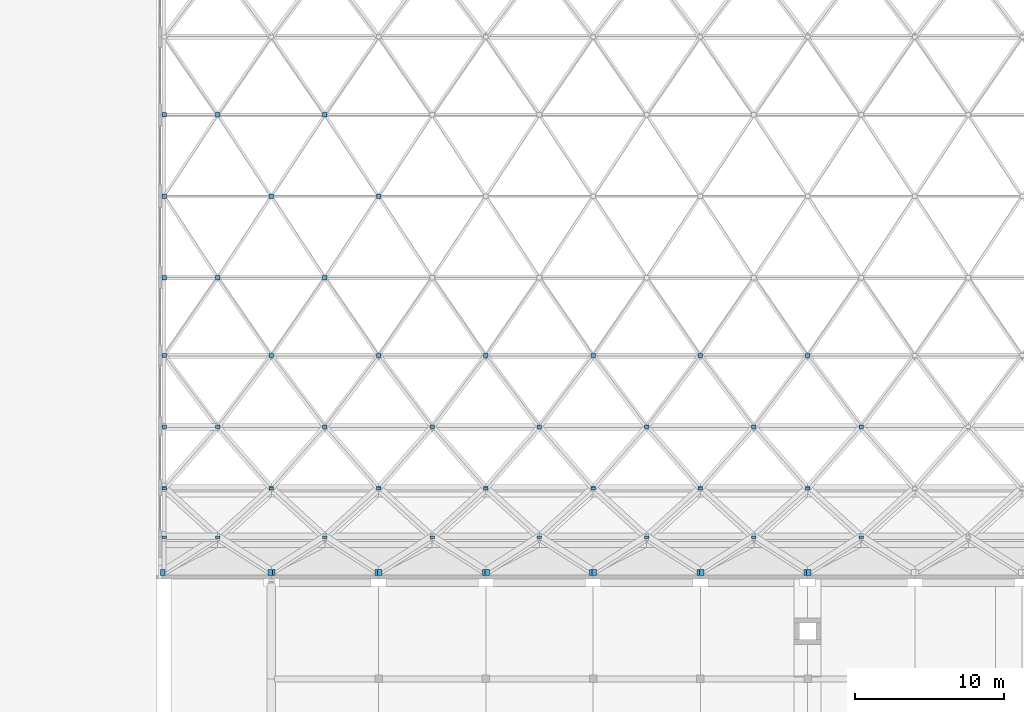
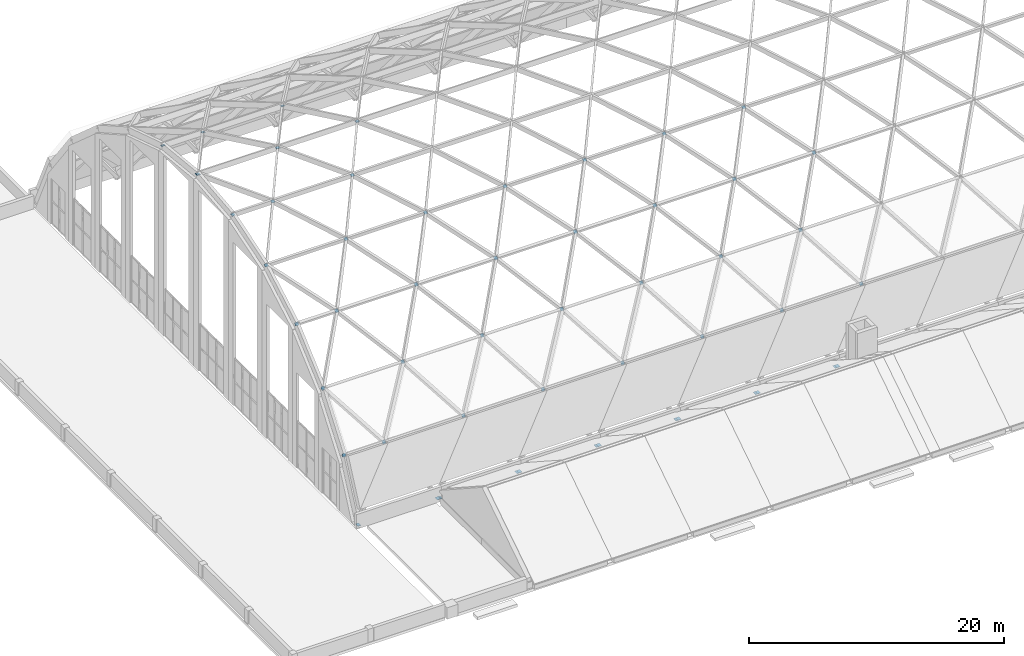
# One storey, part 39 of 52: 52 discrete accessories.
"""IFC4 building model written with IfcOpenShell, lengths in metres."""

from ifc_helpers import new_model, si_unit, direction, frame, origin, origin_2d, place, context, subcontext, project, spatial, rectangle, extrude, material, layer, layer_set, material_profile, profile_set, type_object, element, save


model = new_model("IFC4")

# Units and contexts
model_context = context("Model", 3, precision=1e-05, world=origin(), true_north=direction((0.0, 1.0)))
body_context = subcontext(model_context, "Body", "Model", "MODEL_VIEW")
ifc_project = project(units=[si_unit("LENGTHUNIT", "METRE"), si_unit("AREAUNIT", "SQUARE_METRE"), si_unit("VOLUMEUNIT", "CUBIC_METRE"), si_unit("PLANEANGLEUNIT", "RADIAN"), si_unit("MASSUNIT", "GRAM", prefix="KILO")], contexts=[model_context])

# Site, building, storey
site_placement = place(None, origin())
site = spatial("IfcSite", under=ifc_project, at=site_placement, CompositionType="ELEMENT")
building_placement = place(site_placement, origin())
building = spatial("IfcBuilding", under=site, at=building_placement, Name="Vermilion Court Aquatics Centre", CompositionType="ELEMENT")
storey_placement = place(building_placement, frame((0.0, 0.0, 12.0)))
storey = spatial("IfcBuildingStorey", under=building, at=storey_placement, Name="L02", CompositionType="ELEMENT", Elevation=12.0)

# Discrete accessories
ifc_material_1 = material(Name="Stainless steel 1.4547, 1.4529 or 1.4565", Category="steel")
ifc_material_profile = material_profile(ifc_material_1, rectangle(XDim=0.300048828125, YDim=0.300048828125, at=origin_2d()), Name="PL 12 x 300 x 300")
ifc_profile_set = profile_set([ifc_material_profile], Name="Stainless steel 1.4547, 1.4529 or 1.4565")
discrete_accessory_type_1 = type_object("IfcDiscreteAccessoryType", Name="Gridshell node plate", PredefinedType="BRACKET", material=ifc_profile_set)
for number, where, z_axis, x_axis, name in (
    (1, (14.39990234375, 16.715087890625, 5.23583984375), (0.0, -0.850265146688, 0.526354614616), (1.0, 0.0, 0.0), "Gridshell node plate NP1 01-00"),
    (2, (18.0, 16.715087890625, 5.23583984375), (0.0, -0.850265146688, 0.526354614616), (1.0, 0.0, 0.0), "Gridshell node plate NP1 01-01"),
    (3, (25.199951171875, 16.715087890625, 5.23583984375), (0.0, -0.850265146688, 0.526354614616), (1.0, 0.0, 0.0), "Gridshell node plate NP1 01-02"),
    (4, (32.39990234375, 16.715087890625, 5.23583984375), (0.0, -0.850265146688, 0.526354614616), (1.0, 0.0, 0.0), "Gridshell node plate NP1 01-03"),
    (5, (39.60009765625, 16.715087890625, 5.23583984375), (0.0, -0.850265146688, 0.526354614616), (1.0, 0.0, 0.0), "Gridshell node plate NP1 01-04"),
    (6, (46.800048828125, 16.715087890625, 5.23583984375), (0.0, -0.850265146688, 0.526354614616), (1.0, 0.0, 0.0), "Gridshell node plate NP1 01-05"),
    (7, (54.0, 16.715087890625, 5.23583984375), (0.0, -0.850265146688, 0.526354614616), (1.0, 0.0, 0.0), "Gridshell node plate NP1 01-06"),
    (8, (61.199951171875, 16.715087890625, 5.23583984375), (0.0, -0.850265146688, 0.526354614616), (1.0, 0.0, 0.0), "Gridshell node plate NP1 01-07"),
    (9, (14.39990234375, 20.00439453125, 9.64794921875), (0.0, -0.737154140201, 0.675724628517), (1.0, 0.0, 0.0), "Gridshell node plate NP1 02-00"),
    (10, (21.60009765625, 20.00439453125, 9.64794921875), (0.0, -0.737154140201, 0.675724628517), (1.0, 0.0, 0.0), "Gridshell node plate NP1 02-01"),
    (11, (28.800048828125, 20.00439453125, 9.64794921875), (0.0, -0.737154140201, 0.675724628517), (1.0, 0.0, 0.0), "Gridshell node plate NP1 02-02"),
    (12, (36.0, 20.00439453125, 9.64794921875), (0.0, -0.737154140201, 0.675724628517), (1.0, 0.0, 0.0), "Gridshell node plate NP1 02-03"),
    (13, (43.199951171875, 20.00439453125, 9.64794921875), (0.0, -0.737154140201, 0.675724628517), (1.0, 0.0, 0.0), "Gridshell node plate NP1 02-04"),
    (14, (50.39990234375, 20.00439453125, 9.64794921875), (0.0, -0.737154140201, 0.675724628517), (1.0, 0.0, 0.0), "Gridshell node plate NP1 02-05"),
    (15, (57.60009765625, 20.00439453125, 9.64794921875), (0.0, -0.737154140201, 0.675724628517), (1.0, 0.0, 0.0), "Gridshell node plate NP1 02-06"),
    (16, (14.39990234375, 24.12353515625, 13.2861328125), (0.0, -0.586967571461, 0.809610443394), (1.0, 0.0, 0.0), "Gridshell node plate NP1 03-00"),
    (17, (18.0, 24.12353515625, 13.2861328125), (0.0, -0.586967571461, 0.809610443394), (1.0, 0.0, 0.0), "Gridshell node plate NP1 03-01"),
    (18, (25.199951171875, 24.12353515625, 13.2861328125), (0.0, -0.586967571461, 0.809610443394), (1.0, 0.0, 0.0), "Gridshell node plate NP1 03-02"),
    (19, (32.39990234375, 24.12353515625, 13.2861328125), (0.0, -0.586967571461, 0.809610443394), (1.0, 0.0, 0.0), "Gridshell node plate NP1 03-03"),
    (20, (39.60009765625, 24.12353515625, 13.2861328125), (0.0, -0.586967571461, 0.809610443394), (1.0, 0.0, 0.0), "Gridshell node plate NP1 03-04"),
    (21, (46.800048828125, 24.12353515625, 13.2861328125), (0.0, -0.586967571461, 0.809610443394), (1.0, 0.0, 0.0), "Gridshell node plate NP1 03-05"),
    (22, (54.0, 24.12353515625, 13.2861328125), (0.0, -0.586967571461, 0.809610443394), (1.0, 0.0, 0.0), "Gridshell node plate NP1 03-06"),
    (23, (61.199951171875, 24.12353515625, 13.2861328125), (0.0, -0.586967571461, 0.809610443394), (1.0, 0.0, 0.0), "Gridshell node plate NP1 03-07"),
    (24, (14.39990234375, 28.90234375, 16.00146484375), (0.0, -0.38897203704, 0.921249561411), (1.0, 0.0, 0.0), "Gridshell node plate NP1 04-00"),
    (25, (21.60009765625, 28.90234375, 16.00146484375), (0.0, -0.38897203704, 0.921249561411), (1.0, 0.0, 0.0), "Gridshell node plate NP1 04-01"),
    (26, (28.800048828125, 28.90234375, 16.00146484375), (0.0, -0.38897203704, 0.921249561411), (1.0, 0.0, 0.0), "Gridshell node plate NP1 04-02"),
    (27, (36.0, 28.90234375, 16.00146484375), (0.0, -0.38897203704, 0.921249561411), (1.0, 0.0, 0.0), "Gridshell node plate NP1 04-03"),
    (28, (43.199951171875, 28.90234375, 16.00146484375), (0.0, -0.38897203704, 0.921249561411), (1.0, 0.0, 0.0), "Gridshell node plate NP1 04-04"),
    (29, (50.39990234375, 28.90234375, 16.00146484375), (0.0, -0.38897203704, 0.921249561411), (1.0, 0.0, 0.0), "Gridshell node plate NP1 04-05"),
    (30, (57.60009765625, 28.90234375, 16.00146484375), (0.0, -0.38897203704, 0.921249561411), (1.0, 0.0, 0.0), "Gridshell node plate NP1 04-06"),
):
    element("IfcDiscreteAccessory", number, at=place(storey_placement, frame(where, z_axis=z_axis, x_axis=x_axis)), inside=storey, type_object=discrete_accessory_type_1, Name=name, PredefinedType="BRACKET", context=body_context, shape_type="SweptSolid", body=[
        extrude(rectangle(XDim=0.300048828125, YDim=0.300048828125, at=origin_2d()), origin(), (0.0, 0.0, 1.0), 0.011962890625),
    ])
for number, where, z_axis, x_axis, name in (
    (31, (14.39990234375, 34.13134765625, 17.676025390625), (0.0, -0.219038342307, 0.975716252094), (1.0, 0.0, 0.0), "Gridshell node plate NP1 05-00"),
    (32, (18.0, 34.13134765625, 17.676025390625), (0.0, -0.219038342307, 0.975716252094), (1.0, 0.0, 0.0), "Gridshell node plate NP1 05-01"),
    (33, (25.199951171875, 34.13134765625, 17.676025390625), (0.0, -0.219038342307, 0.975716252094), (1.0, 0.0, 0.0), "Gridshell node plate NP1 05-02"),
    (34, (14.39990234375, 39.60009765625, 18.243896484375), (0.0, 0.0, 1.0), (1.0, 0.0, 0.0), "Gridshell node plate NP1 06-00"),
    (35, (21.60009765625, 39.60009765625, 18.243896484375), (0.0, 0.0, 1.0), (1.0, 0.0, 0.0), "Gridshell node plate NP1 06-01"),
    (36, (28.800048828125, 39.60009765625, 18.243896484375), (0.0, 0.0, 1.0), (1.0, 0.0, 0.0), "Gridshell node plate NP1 06-02"),
    (37, (14.39990234375, 45.06884765625, 17.676025390625), (0.0, 0.199960011996, 0.97980405878), (-1.0, 0.0, 0.0), "Gridshell node plate NP1 07-00"),
    (38, (18.0, 45.06884765625, 17.676025390625), (0.0, 0.199960011996, 0.97980405878), (-1.0, 0.0, 0.0), "Gridshell node plate NP1 07-01"),
    (39, (25.199951171875, 45.06884765625, 17.676025390625), (0.0, 0.199960011996, 0.97980405878), (-1.0, 0.0, 0.0), "Gridshell node plate NP1 07-02"),
):
    element("IfcDiscreteAccessory", number, at=place(storey_placement, frame(where, z_axis=z_axis, x_axis=x_axis)), inside=storey, type_object=discrete_accessory_type_1, Name=name, PredefinedType="BRACKET", context=body_context, shape_type="SweptSolid", body=[
        extrude(rectangle(XDim=0.300048828125, YDim=0.300048828125, at=origin_2d()), origin(), (0.0, 0.0, 1.0), 0.01220703125),
    ])
ifc_material_2 = material(Name="Stainless steel 1.4547, 1.4529 or 1.4565", Category="steel")
ifc_layer = layer(ifc_material_2, 0.02490234375)
ifc_layer_set = layer_set([ifc_layer], Name="Gridshell springing seat plate")
discrete_accessory_type_2 = type_object("IfcDiscreteAccessoryType", Name="Gridshell springing seat plate", PredefinedType="SHOE", material=ifc_layer_set)
for number, where, z_axis, x_axis, name in (
    (40, (14.3154296875, 14.345703125, 0.025146484375), (0.0, 0.0, 1.0), (1.0, 0.0, 0.0), "Gridshell springing seat plate NP2 S01"),
    (41, (21.515380859375, 14.345703125, 0.025146484375), (0.0, 0.0, 1.0), (1.0, 0.0, 0.0), "Gridshell springing seat plate NP2 S02"),
    (42, (21.6845703125, 14.345703125, 0.025146484375), (0.0, 0.0, 1.0), (1.0, 0.0, 0.0), "Gridshell springing seat plate NP2 S03"),
    (43, (28.715576171875, 14.345703125, 0.025146484375), (0.0, 0.0, 1.0), (1.0, 0.0, 0.0), "Gridshell springing seat plate NP2 S04"),
    (44, (28.884521484375, 14.345703125, 0.025146484375), (0.0, 0.0, 1.0), (1.0, 0.0, 0.0), "Gridshell springing seat plate NP2 S05"),
    (45, (35.91552734375, 14.345703125, 0.025146484375), (0.0, 0.0, 1.0), (1.0, 0.0, 0.0), "Gridshell springing seat plate NP2 S06"),
    (46, (36.08447265625, 14.345703125, 0.025146484375), (0.0, 0.0, 1.0), (1.0, 0.0, 0.0), "Gridshell springing seat plate NP2 S07"),
    (47, (43.115478515625, 14.345703125, 0.025146484375), (0.0, 0.0, 1.0), (1.0, 0.0, 0.0), "Gridshell springing seat plate NP2 S08"),
    (48, (43.284423828125, 14.345703125, 0.025146484375), (0.0, 0.0, 1.0), (1.0, 0.0, 0.0), "Gridshell springing seat plate NP2 S09"),
    (49, (50.3154296875, 14.345703125, 0.025146484375), (0.0, 0.0, 1.0), (1.0, 0.0, 0.0), "Gridshell springing seat plate NP2 S10"),
    (50, (50.484619140625, 14.345703125, 0.025146484375), (0.0, 0.0, 1.0), (1.0, 0.0, 0.0), "Gridshell springing seat plate NP2 S11"),
    (51, (57.515380859375, 14.345703125, 0.025146484375), (0.0, 0.0, 1.0), (1.0, 0.0, 0.0), "Gridshell springing seat plate NP2 S12"),
    (52, (57.6845703125, 14.345703125, 0.025146484375), (0.0, 0.0, 1.0), (1.0, 0.0, 0.0), "Gridshell springing seat plate NP2 S13"),
):
    element("IfcDiscreteAccessory", number, at=place(storey_placement, frame(where, z_axis=z_axis, x_axis=x_axis)), inside=storey, type_object=discrete_accessory_type_2, Name=name, PredefinedType="SHOE", context=body_context, shape_type="SweptSolid", body=[
        extrude(rectangle(XDim=0.300048828125, YDim=0.39990234375, at=origin_2d()), origin(), (0.0, 0.0, 1.0), 0.02490234375),
    ])

save(model, "model.ifc")
